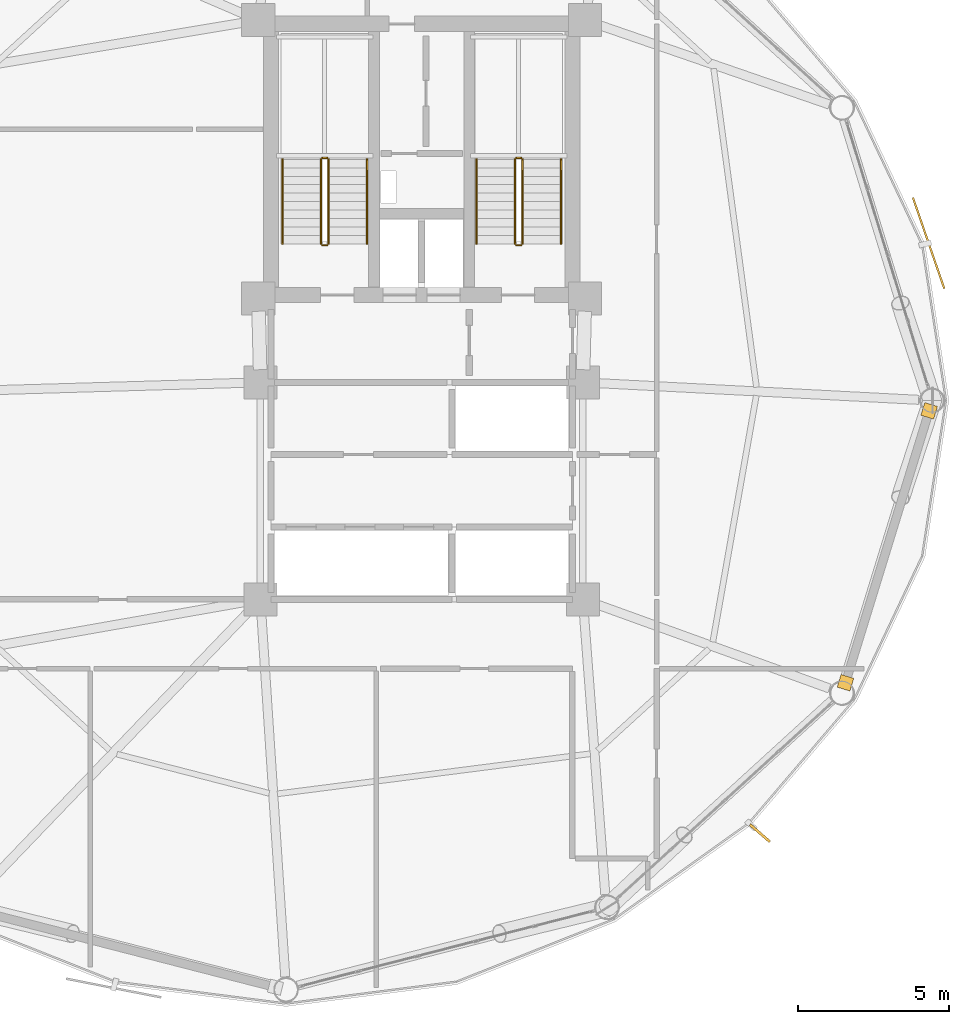
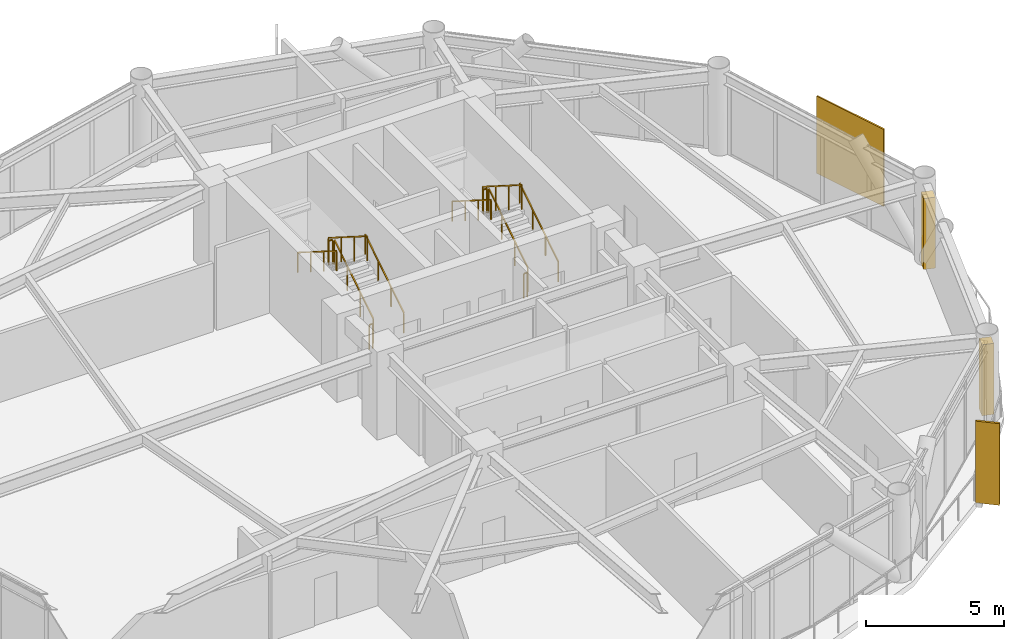
# One storey, part 23 of 24: 12 railings, 2 coverings, 2 shading devices.
"""IFC4 building model written with IfcOpenShell, lengths in metres."""

from ifc_helpers import new_model, si_unit, direction, frame, origin, origin_2d, place, context, subcontext, project, spatial, rectangle, extrude, source, transform, mapped, material, layer, layer_set, type_object, type_shapes, element, save


model = new_model("IFC4")

# Units and contexts
model_context = context("Model", 3, precision=1e-05, world=origin(), true_north=direction((0.0, 1.0)))
body_context = subcontext(model_context, "Body", "Model", "MODEL_VIEW")
ifc_project = project(units=[si_unit("LENGTHUNIT", "METRE"), si_unit("AREAUNIT", "SQUARE_METRE"), si_unit("VOLUMEUNIT", "CUBIC_METRE"), si_unit("PLANEANGLEUNIT", "RADIAN"), si_unit("MASSUNIT", "GRAM", prefix="KILO")], contexts=[model_context])

# Site, building, storey
site_placement = place(None, origin())
site = spatial("IfcSite", under=ifc_project, at=site_placement, CompositionType="ELEMENT")
building_placement = place(site_placement, origin())
building = spatial("IfcBuilding", under=site, at=building_placement, Name="Varnakorn Sky Granary", CompositionType="ELEMENT")
storey_placement = place(building_placement, frame((0.0, 0.0, 111.0)))
storey = spatial("IfcBuildingStorey", under=building, at=storey_placement, Name="L27", CompositionType="ELEMENT", Elevation=111.0)

# Railings
ifc_material_1 = material(Name="Brushed Stainless Steel 316", Category="steel")
railing_type_1 = type_object("IfcRailingType", Name="RL-STAIR-1100", PredefinedType="GUARDRAIL", material=ifc_material_1)
railing_1_placement = place(storey_placement, frame((-0.090087890625, 5.199951171875, 0.17724609375)))
element("IfcRailing", 1, at=railing_1_placement, inside=storey, type_object=railing_type_1, Name="L27 ST-1 stair guard 1", PredefinedType="GUARDRAIL", context=body_context, shape_type="SweptSolid", body=[
    extrude(rectangle(XDim=0.048095703125, YDim=0.048095703125, at=origin_2d()), frame((0.0, 0.0, 1.076171875), z_axis=(0.0, 0.844908973607, 0.534910110503), x_axis=(-1.0, 0.0, 0.0)), (0.0, 0.0, 1.0), 3.31396484375),
    extrude(rectangle(XDim=0.0419921875, YDim=0.0419921875, at=origin_2d()), origin(), (0.0, 0.0, 1.0), 1.048095703125),
    extrude(rectangle(XDim=0.0419921875, YDim=0.0419921875, at=origin_2d()), frame((0.0, 0.933349609375, 0.5908203125)), (0.0, 0.0, 1.0), 1.048095703125),
    extrude(rectangle(XDim=0.0419921875, YDim=0.0419921875, at=origin_2d()), frame((0.0, 1.86669921875, 1.181884765625)), (0.0, 0.0, 1.0), 1.048095703125),
    extrude(rectangle(XDim=0.0419921875, YDim=0.0419921875, at=origin_2d()), frame((0.0, 2.800048828125, 1.772705078125)), (0.0, 0.0, 1.0), 1.048095703125),
])
railing_2_placement = place(storey_placement, frame((-0.139892578125, 8.050048828125, 1.949951171875)))
element("IfcRailing", 2, at=railing_2_placement, inside=storey, type_object=railing_type_1, Name="L27 ST-1 stair guard 2", PredefinedType="GUARDRAIL", context=body_context, shape_type="SweptSolid", body=[
    extrude(rectangle(XDim=0.048095703125, YDim=0.048095703125, at=origin_2d()), frame((0.0, 0.0, 1.076171875), z_axis=(-1.0, 0.0, 0.0), x_axis=(0.0, -1.0, 0.0)), (0.0, 0.0, 1.0), 0.150146484375),
    extrude(rectangle(XDim=0.0419921875, YDim=0.0419921875, at=origin_2d()), origin(), (0.0, 0.0, 1.0), 1.048095703125),
    extrude(rectangle(XDim=0.0419921875, YDim=0.0419921875, at=origin_2d()), frame((-0.150146484375, 0.0, 0.0)), (0.0, 0.0, 1.0), 1.048095703125),
])
railing_3_placement = place(storey_placement, frame((-0.340087890625, 8.0, 2.127197265625)))
element("IfcRailing", 3, at=railing_3_placement, inside=storey, type_object=railing_type_1, Name="L27 ST-1 stair guard 3", PredefinedType="GUARDRAIL", context=body_context, shape_type="SweptSolid", body=[
    extrude(rectangle(XDim=0.048095703125, YDim=0.048095703125, at=origin_2d()), frame((0.0, 0.0, 1.076171875), z_axis=(0.0, -0.844908973607, 0.534910110503), x_axis=(1.0, 0.0, 0.0)), (0.0, 0.0, 1.0), 3.31396484375),
    extrude(rectangle(XDim=0.0419921875, YDim=0.0419921875, at=origin_2d()), origin(), (0.0, 0.0, 1.0), 1.048095703125),
    extrude(rectangle(XDim=0.0419921875, YDim=0.0419921875, at=origin_2d()), frame((0.0, -0.933349609375, 0.5908203125)), (0.0, 0.0, 1.0), 1.048095703125),
    extrude(rectangle(XDim=0.0419921875, YDim=0.0419921875, at=origin_2d()), frame((0.0, -1.86669921875, 1.181884765625)), (0.0, 0.0, 1.0), 1.048095703125),
    extrude(rectangle(XDim=0.0419921875, YDim=0.0419921875, at=origin_2d()), frame((0.0, -2.800048828125, 1.772705078125)), (0.0, 0.0, 1.0), 1.048095703125),
])
railing_4_placement = place(storey_placement, frame((-0.139892578125, 5.14990234375, 0.0)))
element("IfcRailing", 4, at=railing_4_placement, inside=storey, type_object=railing_type_1, Name="L27 ST-1 stair guard 4", PredefinedType="GUARDRAIL", context=body_context, shape_type="SweptSolid", body=[
    extrude(rectangle(XDim=0.048095703125, YDim=0.048095703125, at=origin_2d()), frame((0.0, 0.0, 1.076171875), z_axis=(-1.0, 0.0, 0.0), x_axis=(0.0, -1.0, 0.0)), (0.0, 0.0, 1.0), 0.150146484375),
    extrude(rectangle(XDim=0.0419921875, YDim=0.0419921875, at=origin_2d()), origin(), (0.0, 0.0, 1.0), 1.048095703125),
    extrude(rectangle(XDim=0.0419921875, YDim=0.0419921875, at=origin_2d()), frame((-0.150146484375, 0.0, 0.0)), (0.0, 0.0, 1.0), 1.048095703125),
])
railing_5_placement = place(storey_placement, frame((6.35009765625, 5.199951171875, 0.17724609375)))
element("IfcRailing", 5, at=railing_5_placement, inside=storey, type_object=railing_type_1, Name="L27 ST-2 stair guard 1", PredefinedType="GUARDRAIL", context=body_context, shape_type="SweptSolid", body=[
    extrude(rectangle(XDim=0.048095703125, YDim=0.048095703125, at=origin_2d()), frame((0.0, 0.0, 1.076171875), z_axis=(0.0, 0.844908973607, 0.534910110503), x_axis=(-1.0, 0.0, 0.0)), (0.0, 0.0, 1.0), 3.31396484375),
    extrude(rectangle(XDim=0.0419921875, YDim=0.0419921875, at=origin_2d()), origin(), (0.0, 0.0, 1.0), 1.048095703125),
    extrude(rectangle(XDim=0.0419921875, YDim=0.0419921875, at=origin_2d()), frame((0.0, 0.933349609375, 0.5908203125)), (0.0, 0.0, 1.0), 1.048095703125),
    extrude(rectangle(XDim=0.0419921875, YDim=0.0419921875, at=origin_2d()), frame((0.0, 1.86669921875, 1.181884765625)), (0.0, 0.0, 1.0), 1.048095703125),
    extrude(rectangle(XDim=0.0419921875, YDim=0.0419921875, at=origin_2d()), frame((0.0, 2.800048828125, 1.772705078125)), (0.0, 0.0, 1.0), 1.048095703125),
])
railing_6_placement = place(storey_placement, frame((6.300048828125, 8.050048828125, 1.949951171875)))
element("IfcRailing", 6, at=railing_6_placement, inside=storey, type_object=railing_type_1, Name="L27 ST-2 stair guard 2", PredefinedType="GUARDRAIL", context=body_context, shape_type="SweptSolid", body=[
    extrude(rectangle(XDim=0.048095703125, YDim=0.048095703125, at=origin_2d()), frame((0.0, 0.0, 1.076171875), z_axis=(-1.0, 0.0, 0.0), x_axis=(0.0, -1.0, 0.0)), (0.0, 0.0, 1.0), 0.150146484375),
    extrude(rectangle(XDim=0.0419921875, YDim=0.0419921875, at=origin_2d()), origin(), (0.0, 0.0, 1.0), 1.048095703125),
    extrude(rectangle(XDim=0.0419921875, YDim=0.0419921875, at=origin_2d()), frame((-0.150146484375, 0.0, 0.0)), (0.0, 0.0, 1.0), 1.048095703125),
])
railing_7_placement = place(storey_placement, frame((6.10009765625, 8.0, 2.127197265625)))
element("IfcRailing", 7, at=railing_7_placement, inside=storey, type_object=railing_type_1, Name="L27 ST-2 stair guard 3", PredefinedType="GUARDRAIL", context=body_context, shape_type="SweptSolid", body=[
    extrude(rectangle(XDim=0.048095703125, YDim=0.048095703125, at=origin_2d()), frame((0.0, 0.0, 1.076171875), z_axis=(0.0, -0.844908973607, 0.534910110503), x_axis=(1.0, 0.0, 0.0)), (0.0, 0.0, 1.0), 3.31396484375),
    extrude(rectangle(XDim=0.0419921875, YDim=0.0419921875, at=origin_2d()), origin(), (0.0, 0.0, 1.0), 1.048095703125),
    extrude(rectangle(XDim=0.0419921875, YDim=0.0419921875, at=origin_2d()), frame((0.0, -0.933349609375, 0.5908203125)), (0.0, 0.0, 1.0), 1.048095703125),
    extrude(rectangle(XDim=0.0419921875, YDim=0.0419921875, at=origin_2d()), frame((0.0, -1.86669921875, 1.181884765625)), (0.0, 0.0, 1.0), 1.048095703125),
    extrude(rectangle(XDim=0.0419921875, YDim=0.0419921875, at=origin_2d()), frame((0.0, -2.800048828125, 1.772705078125)), (0.0, 0.0, 1.0), 1.048095703125),
])
railing_8_placement = place(storey_placement, frame((6.300048828125, 5.14990234375, 0.0)))
element("IfcRailing", 8, at=railing_8_placement, inside=storey, type_object=railing_type_1, Name="L27 ST-2 stair guard 4", PredefinedType="GUARDRAIL", context=body_context, shape_type="SweptSolid", body=[
    extrude(rectangle(XDim=0.048095703125, YDim=0.048095703125, at=origin_2d()), frame((0.0, 0.0, 1.076171875), z_axis=(-1.0, 0.0, 0.0), x_axis=(0.0, -1.0, 0.0)), (0.0, 0.0, 1.0), 0.150146484375),
    extrude(rectangle(XDim=0.0419921875, YDim=0.0419921875, at=origin_2d()), origin(), (0.0, 0.0, 1.0), 1.048095703125),
    extrude(rectangle(XDim=0.0419921875, YDim=0.0419921875, at=origin_2d()), frame((-0.150146484375, 0.0, 0.0)), (0.0, 0.0, 1.0), 1.048095703125),
])
railing_type_2 = type_object("IfcRailingType", Name="RL-STAIR-920", PredefinedType="HANDRAIL", material=ifc_material_1)
railing_9_placement = place(storey_placement, frame((1.18994140625, 5.199951171875, 0.17724609375)))
element("IfcRailing", 9, at=railing_9_placement, inside=storey, type_object=railing_type_2, Name="L27 ST-1 stair handrail 1", PredefinedType="HANDRAIL", context=body_context, shape_type="SweptSolid", body=[
    extrude(rectangle(XDim=0.048095703125, YDim=0.048095703125, at=origin_2d()), frame((0.0, 0.0, 0.8759765625), z_axis=(0.0, 0.844908973607, 0.534910110503), x_axis=(-1.0, 0.0, 0.0)), (0.0, 0.0, 1.0), 3.31396484375),
    extrude(rectangle(XDim=0.0419921875, YDim=0.0419921875, at=origin_2d()), origin(), (0.0, 0.0, 1.0), 0.847900390625),
    extrude(rectangle(XDim=0.0419921875, YDim=0.0419921875, at=origin_2d()), frame((0.0, 0.933349609375, 0.5908203125)), (0.0, 0.0, 1.0), 0.847900390625),
    extrude(rectangle(XDim=0.0419921875, YDim=0.0419921875, at=origin_2d()), frame((0.0, 1.86669921875, 1.181884765625)), (0.0, 0.0, 1.0), 0.847900390625),
    extrude(rectangle(XDim=0.0419921875, YDim=0.0419921875, at=origin_2d()), frame((0.0, 2.800048828125, 1.772705078125)), (0.0, 0.0, 1.0), 0.847900390625),
])
railing_10_placement = place(storey_placement, frame((-1.6201171875, 8.0, 2.127197265625)))
element("IfcRailing", 10, at=railing_10_placement, inside=storey, type_object=railing_type_2, Name="L27 ST-1 stair handrail 2", PredefinedType="HANDRAIL", context=body_context, shape_type="SweptSolid", body=[
    extrude(rectangle(XDim=0.048095703125, YDim=0.048095703125, at=origin_2d()), frame((0.0, 0.0, 0.8759765625), z_axis=(0.0, -0.844908973607, 0.534910110503), x_axis=(1.0, 0.0, 0.0)), (0.0, 0.0, 1.0), 3.31396484375),
    extrude(rectangle(XDim=0.0419921875, YDim=0.0419921875, at=origin_2d()), origin(), (0.0, 0.0, 1.0), 0.847900390625),
    extrude(rectangle(XDim=0.0419921875, YDim=0.0419921875, at=origin_2d()), frame((0.0, -0.933349609375, 0.5908203125)), (0.0, 0.0, 1.0), 0.847900390625),
    extrude(rectangle(XDim=0.0419921875, YDim=0.0419921875, at=origin_2d()), frame((0.0, -1.86669921875, 1.181884765625)), (0.0, 0.0, 1.0), 0.847900390625),
    extrude(rectangle(XDim=0.0419921875, YDim=0.0419921875, at=origin_2d()), frame((0.0, -2.800048828125, 1.772705078125)), (0.0, 0.0, 1.0), 0.847900390625),
])
railing_11_placement = place(storey_placement, frame((7.6298828125, 5.199951171875, 0.17724609375)))
element("IfcRailing", 11, at=railing_11_placement, inside=storey, type_object=railing_type_2, Name="L27 ST-2 stair handrail 1", PredefinedType="HANDRAIL", context=body_context, shape_type="SweptSolid", body=[
    extrude(rectangle(XDim=0.048095703125, YDim=0.048095703125, at=origin_2d()), frame((0.0, 0.0, 0.8759765625), z_axis=(0.0, 0.844908973607, 0.534910110503), x_axis=(-1.0, 0.0, 0.0)), (0.0, 0.0, 1.0), 3.31396484375),
    extrude(rectangle(XDim=0.0419921875, YDim=0.0419921875, at=origin_2d()), origin(), (0.0, 0.0, 1.0), 0.847900390625),
    extrude(rectangle(XDim=0.0419921875, YDim=0.0419921875, at=origin_2d()), frame((0.0, 0.933349609375, 0.5908203125)), (0.0, 0.0, 1.0), 0.847900390625),
    extrude(rectangle(XDim=0.0419921875, YDim=0.0419921875, at=origin_2d()), frame((0.0, 1.86669921875, 1.181884765625)), (0.0, 0.0, 1.0), 0.847900390625),
    extrude(rectangle(XDim=0.0419921875, YDim=0.0419921875, at=origin_2d()), frame((0.0, 2.800048828125, 1.772705078125)), (0.0, 0.0, 1.0), 0.847900390625),
])
railing_12_placement = place(storey_placement, frame((4.820068359375, 8.0, 2.127197265625)))
element("IfcRailing", 12, at=railing_12_placement, inside=storey, type_object=railing_type_2, Name="L27 ST-2 stair handrail 2", PredefinedType="HANDRAIL", context=body_context, shape_type="SweptSolid", body=[
    extrude(rectangle(XDim=0.048095703125, YDim=0.048095703125, at=origin_2d()), frame((0.0, 0.0, 0.8759765625), z_axis=(0.0, -0.844908973607, 0.534910110503), x_axis=(1.0, 0.0, 0.0)), (0.0, 0.0, 1.0), 3.31396484375),
    extrude(rectangle(XDim=0.0419921875, YDim=0.0419921875, at=origin_2d()), origin(), (0.0, 0.0, 1.0), 0.847900390625),
    extrude(rectangle(XDim=0.0419921875, YDim=0.0419921875, at=origin_2d()), frame((0.0, -0.933349609375, 0.5908203125)), (0.0, 0.0, 1.0), 0.847900390625),
    extrude(rectangle(XDim=0.0419921875, YDim=0.0419921875, at=origin_2d()), frame((0.0, -1.86669921875, 1.181884765625)), (0.0, 0.0, 1.0), 0.847900390625),
    extrude(rectangle(XDim=0.0419921875, YDim=0.0419921875, at=origin_2d()), frame((0.0, -2.800048828125, 1.772705078125)), (0.0, 0.0, 1.0), 0.847900390625),
])

# Shading devices
ifc_material_2 = material(Name="Anodised Bronze Aluminium Alloy 6063-T6", Category="aluminium")
shading_device_type_1 = type_object("IfcShadingDeviceType", Name="SH-FIN-01", PredefinedType="USERDEFINED", material=ifc_material_2)
shared_shape_1 = source(origin(), body_context, "Body", "SweptSolid", [
    extrude(rectangle(XDim=0.0849609375, YDim=0.8798828125, at=origin_2d()), origin(), (0.0, 0.0, 1.0), 3.60009765625),
])
type_shapes(shading_device_type_1, [shared_shape_1])
shading_device_1_placement = place(storey_placement, frame((14.228271484375, -14.361083984375, -0.0400390625), z_axis=(0.0, 0.0, 1.0), x_axis=(0.655374344039, 0.75530422293, 0.0)))
element("IfcShadingDevice", 13, at=shading_device_1_placement, inside=storey, type_object=shading_device_type_1, Name="Bronze Solar-Tracking Vertical Blade FIN L27-11", ObjectType="FIN", PredefinedType="USERDEFINED", context=body_context, shape_type="MappedRepresentation", body=[
    mapped(shared_shape_1, transform((0.0, 0.0, 0.0), x_axis=(1.0, 0.0, 0.0), y_axis=(0.0, 1.0, 0.0), z_axis=(0.0, 0.0, 1.0), scale=1.0)),
])
shading_device_type_2 = type_object("IfcShadingDeviceType", Name="SH-SCR-01", PredefinedType="USERDEFINED", material=ifc_material_2)
shared_shape_2 = source(origin(), body_context, "Body", "SweptSolid", [
    extrude(rectangle(XDim=3.199951171875, YDim=0.06494140625, at=origin_2d()), origin(), (0.0, 0.0, 1.0), 3.39990234375),
])
type_shapes(shading_device_type_2, [shared_shape_2])
shading_device_2_placement = place(storey_placement, frame((19.82421875, 5.22021484375, -0.0400390625), z_axis=(0.0, 0.0, 1.0), x_axis=(-0.325663960478, 0.945485581511, 0.0)))
element("IfcShadingDevice", 14, at=shading_device_2_placement, inside=storey, type_object=shading_device_type_2, Name="Perforated Bronze Solar Screen Panel SCREEN L27-01", ObjectType="SCREEN", PredefinedType="USERDEFINED", context=body_context, shape_type="MappedRepresentation", body=[
    mapped(shared_shape_2, transform((0.0, 0.0, 0.0), x_axis=(1.0, 0.0, 0.0), y_axis=(0.0, 1.0, 0.0), z_axis=(0.0, 0.0, 1.0), scale=1.0)),
])

# Coverings
ifc_layer = layer(ifc_material_2, 0.050048828125, Name="Anodised Bronze Aluminium Alloy 6063-T6")
ifc_layer_set = layer_set([ifc_layer], Name="Anodised Bronze Aluminium Alloy 6063-T6")
covering_type = type_object("IfcCoveringType", Name="CV-CLAD-50", PredefinedType="CLADDING", material=ifc_layer_set)
shared_shape_3 = source(origin(), body_context, "Body", "SweptSolid", [
    extrude(rectangle(XDim=0.43994140625, YDim=0.43994140625, at=origin_2d()), origin(), (0.0, 0.0, 1.0), 3.1298828125),
])
type_shapes(covering_type, [shared_shape_3])
for number, where, z_axis, x_axis, name in (
    (15, (19.843505859375, -0.345458984375, -0.02001953125), (0.0, 0.0, 1.0), (-0.294207138104, -0.955741680523, 0.0), "Bronze Corner Pilaster Closure L27-P12-A"),
    (16, (17.065673828125, -9.368896484375, -0.02001953125), (0.0, 0.0, 1.0), (-0.294207138104, -0.955741680523, 0.0), "Bronze Corner Pilaster Closure L27-P12-B"),
):
    element("IfcCovering", number, at=place(storey_placement, frame(where, z_axis=z_axis, x_axis=x_axis)), inside=storey, type_object=covering_type, Name=name, PredefinedType="CLADDING", context=body_context, shape_type="MappedRepresentation", body=[
        mapped(shared_shape_3, transform((0.0, 0.0, 0.0), x_axis=(1.0, 0.0, 0.0), y_axis=(0.0, 1.0, 0.0), z_axis=(0.0, 0.0, 1.0), scale=1.0)),
    ])

save(model, "model.ifc")
